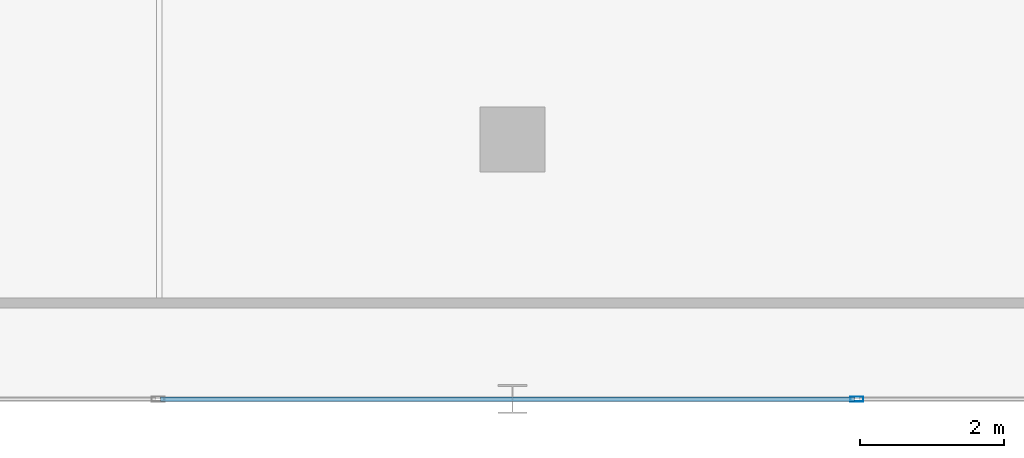
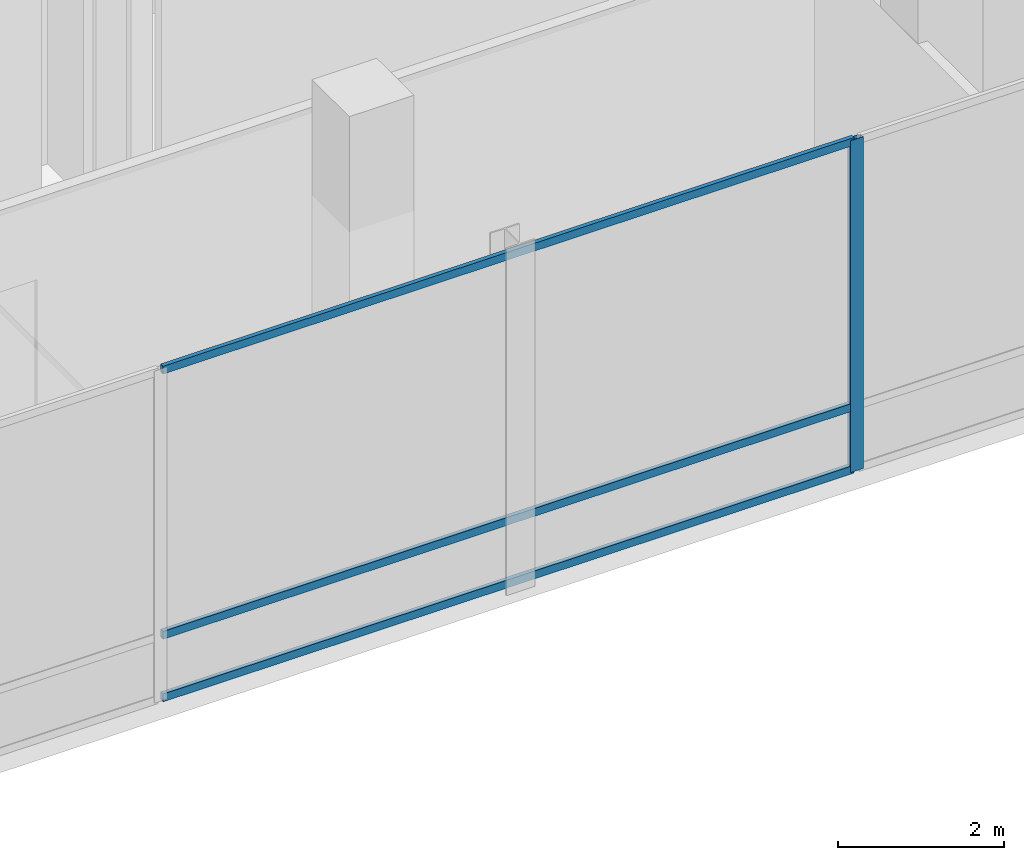
# One storey, part 7 of 40: 4 members, 1 element without a shape of its own.
"""IFC4 building model written with IfcOpenShell, lengths in metres."""

from ifc_helpers import new_model, si_unit, direction, frame, origin, origin_2d, place, context, subcontext, project, spatial, hollow_rectangle, extrude, material, layer, layer_set, material_profile, profile_set, type_object, element, aggregate, save


model = new_model("IFC4")

# Units and contexts
model_context = context("Model", 3, precision=1e-05, world=origin(), true_north=direction((0.0, 1.0)))
body_context = subcontext(model_context, "Body", "Model", "MODEL_VIEW")
ifc_project = project(units=[si_unit("LENGTHUNIT", "METRE"), si_unit("AREAUNIT", "SQUARE_METRE"), si_unit("VOLUMEUNIT", "CUBIC_METRE"), si_unit("PLANEANGLEUNIT", "RADIAN"), si_unit("MASSUNIT", "GRAM", prefix="KILO")], contexts=[model_context])

# Site, building, storey
site_placement = place(None, origin())
site = spatial("IfcSite", under=ifc_project, at=site_placement, CompositionType="ELEMENT")
building_placement = place(site_placement, origin())
building = spatial("IfcBuilding", under=site, at=building_placement, Name="Qianvela Tower", CompositionType="ELEMENT")
storey_placement = place(building_placement, frame((0.0, 0.0, 20.60009765625)))
storey = spatial("IfcBuildingStorey", under=building, at=storey_placement, Name="L04", CompositionType="ELEMENT", Elevation=20.60009765625)

# Curtain wall, members
ifc_material_1 = material(Name="Anodised Architectural Aluminium and Low-E Glass", Category="aluminium")
ifc_layer = layer(ifc_material_1, 0.179931640625)
ifc_layer_set = layer_set([ifc_layer], Name="Anodised Architectural Aluminium and Low-E Glass")
curtain_wall_type = type_object("IfcCurtainWallType", Name="CW-COMMONS", PredefinedType="USERDEFINED", material=ifc_layer_set)
curtain_wall_placement = place(storey_placement, origin())
curtain_wall = element("IfcCurtainWall", 1, at=curtain_wall_placement, inside=storey, type_object=curtain_wall_type, Name="L04 CW-COMMONS Curtain Wall 01", ObjectType="CURTAIN_WALL_SYSTEM", PredefinedType="USERDEFINED")
ifc_material_2 = material(Name="Anodised Architectural Aluminium 6063-T6", Category="aluminium")
ifc_material_profile_1 = material_profile(ifc_material_2, hollow_rectangle(XDim=0.070068359375, YDim=0.179931640625, WallThickness=0.0048828125, at=origin_2d()), Name="ALU-MULL-70x180")
ifc_profile_set_1 = profile_set([ifc_material_profile_1], Name="Anodised Architectural Aluminium 6063-T6")
member_type_1 = type_object("IfcMemberType", Name="CW-COMMONS-MULL", PredefinedType="MULLION", material=ifc_profile_set_1)
member_1_placement = place(storey_placement, frame((27.816650390625, 4.5, 0.0), z_axis=(0.0, 0.0, 1.0), x_axis=(0.0, 1.0, 0.0)))
member_1 = element("IfcMember", 2, at=member_1_placement, type_object=member_type_1, Name="CW-2 mullion 3", PredefinedType="MULLION", context=body_context, shape_type="SweptSolid", body=[
    extrude(hollow_rectangle(XDim=0.070068359375, YDim=0.179931640625, WallThickness=0.0048828125, at=origin_2d()), origin(), (0.0, 0.0, 1.0), 4.8798828125),
])
ifc_material_3 = material(Name="Anodised Architectural Aluminium 6063-T6", Category="aluminium")
ifc_material_profile_2 = material_profile(ifc_material_3, hollow_rectangle(XDim=0.06005859375, YDim=0.114990234375, WallThickness=0.00390625, at=origin_2d()), Name="ALU-TRAN-60x115")
ifc_profile_set_2 = profile_set([ifc_material_profile_2], Name="Anodised Architectural Aluminium 6063-T6")
member_type_2 = type_object("IfcMemberType", Name="CW-COMMONS-TRAN", PredefinedType="USERDEFINED", material=ifc_profile_set_2)
member_2_placement = place(storey_placement, frame((18.168212890625, 4.5, 0.02978515625), z_axis=(1.0, 0.0, 0.0), x_axis=(0.0, 1.0, 0.0)))
member_2 = element("IfcMember", 3, at=member_2_placement, type_object=member_type_2, Name="CW-2 transom 2.1", ObjectType="TRANSOM", PredefinedType="USERDEFINED", context=body_context, shape_type="SweptSolid", body=[
    extrude(hollow_rectangle(XDim=0.06005859375, YDim=0.114990234375, WallThickness=0.00390625, at=origin_2d()), origin(), (0.0, 0.0, 1.0), 9.613525390625),
])
member_3_placement = place(storey_placement, frame((18.168212890625, 4.5, 0.949951171875), z_axis=(1.0, 0.0, 0.0), x_axis=(0.0, 1.0, 0.0)))
member_3 = element("IfcMember", 4, at=member_3_placement, type_object=member_type_2, Name="CW-2 transom 2.2", ObjectType="TRANSOM", PredefinedType="USERDEFINED", context=body_context, shape_type="SweptSolid", body=[
    extrude(hollow_rectangle(XDim=0.06005859375, YDim=0.114990234375, WallThickness=0.00390625, at=origin_2d()), origin(), (0.0, 0.0, 1.0), 9.613525390625),
])
member_4_placement = place(storey_placement, frame((18.168212890625, 4.5, 4.849853515625), z_axis=(1.0, 0.0, 0.0), x_axis=(0.0, 1.0, 0.0)))
member_4 = element("IfcMember", 5, at=member_4_placement, type_object=member_type_2, Name="CW-2 transom 2.3", ObjectType="TRANSOM", PredefinedType="USERDEFINED", context=body_context, shape_type="SweptSolid", body=[
    extrude(hollow_rectangle(XDim=0.06005859375, YDim=0.114990234375, WallThickness=0.00390625, at=origin_2d()), origin(), (0.0, 0.0, 1.0), 9.613525390625),
])
aggregate(curtain_wall, [member_1, member_2, member_3, member_4])

save(model, "model.ifc")
